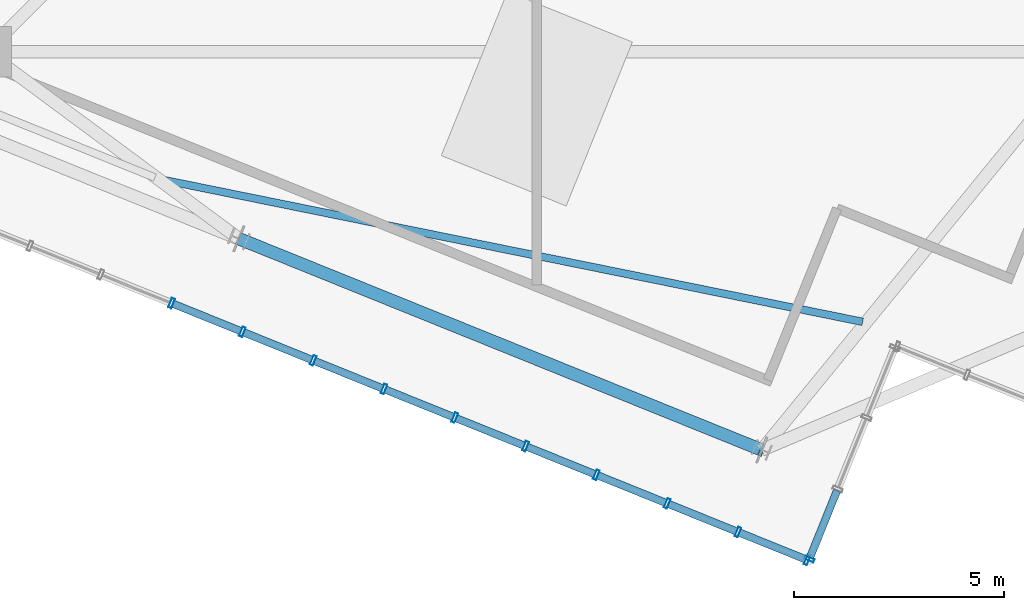
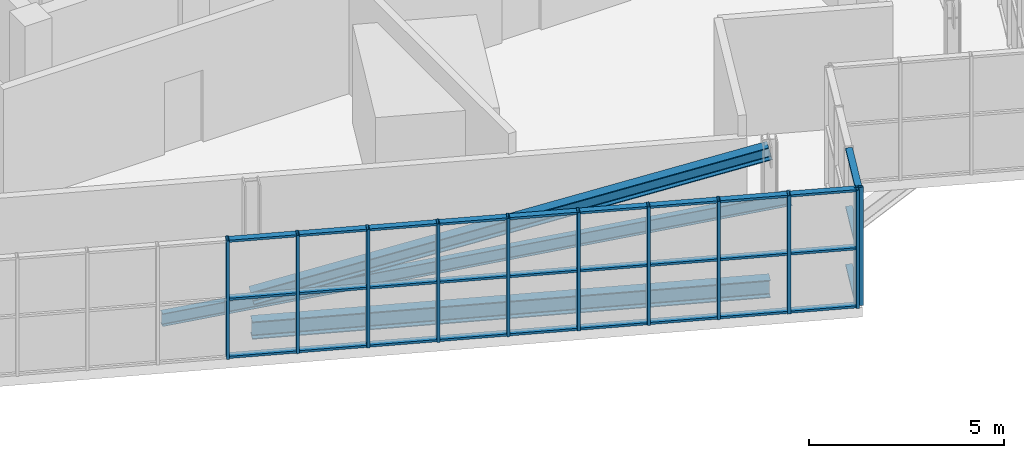
# One storey, part 4 of 26: 42 members, 2 beams, 2 elements without a shape of their own.
"""IFC4 building model written with IfcOpenShell, lengths in metres."""

from ifc_helpers import new_model, si_unit, direction, frame, origin, origin_2d, place, context, subcontext, project, spatial, hollow_rectangle, i_section, extrude, source, transform, mapped, material, layer, layer_set, material_profile, profile_set, type_object, element, aggregate, save


model = new_model("IFC4")

# Units and contexts
model_context = context("Model", 3, precision=1e-05, world=origin(), true_north=direction((0.0, 1.0)))
body_context = subcontext(model_context, "Body", "Model", "MODEL_VIEW")
ifc_project = project(units=[si_unit("LENGTHUNIT", "METRE"), si_unit("AREAUNIT", "SQUARE_METRE"), si_unit("VOLUMEUNIT", "CUBIC_METRE"), si_unit("PLANEANGLEUNIT", "RADIAN"), si_unit("MASSUNIT", "GRAM", prefix="KILO"), si_unit("THERMODYNAMICTEMPERATUREUNIT", "KELVIN")], contexts=[model_context])

# Site, building, storey
site_placement = place(None, origin())
site = spatial("IfcSite", under=ifc_project, at=site_placement, CompositionType="ELEMENT")
building_placement = place(site_placement, origin())
building = spatial("IfcBuilding", under=site, at=building_placement, Name="Kosmvard Interchange Tower", CompositionType="ELEMENT")
storey_placement = place(building_placement, frame((0.0, 0.0, 325.60009765625)))
storey = spatial("IfcBuildingStorey", under=building, at=storey_placement, Name="L80", CompositionType="ELEMENT", Elevation=325.60009765625)

# Member
ifc_material_1 = material(Name="Steel S355", Category="steel")
ifc_material_profile_1 = material_profile(ifc_material_1, i_section(OverallWidth=0.300048828125, OverallDepth=0.39990234375, WebThickness=0.013427734375, FlangeThickness=0.02392578125, FilletRadius=0.027099609375, at=origin_2d()), Name="HEB 400")
ifc_profile_set_1 = profile_set([ifc_material_profile_1], Name="Steel S355")
member_type_1 = type_object("IfcMemberType", Name="Lantern Crown Diagrid Brace HEB 400 S355", PredefinedType="BRACE", material=ifc_profile_set_1)
shared_shape_1 = source(origin(), body_context, "Body", "SweptSolid", [
    extrude(i_section(OverallWidth=0.300048828125, OverallDepth=0.39990234375, WebThickness=0.013427734375, FlangeThickness=0.02392578125, FilletRadius=0.027099609375, at=origin_2d()), origin(), (0.0, 0.0, 1.0), 13.783935546875),
])
member_1_placement = place(storey_placement, frame((-7.080078125, -17.523681640625, 0.419921875), z_axis=(0.901367558742, -0.364177999122, 0.234330768366), x_axis=(0.374608243744, 0.927183187789, 0.0)))
element("IfcMember", 1, at=member_1_placement, inside=storey, type_object=member_type_1, Name="L80 Crown Lantern Diagrid Brace W2", PredefinedType="BRACE", context=body_context, shape_type="MappedRepresentation", body=[
    mapped(shared_shape_1, transform((0.0, 0.0, 0.0), scale=1.0)),
])

# Beams
ifc_material_profile_2 = material_profile(ifc_material_1, i_section(OverallWidth=0.300048828125, OverallDepth=0.550048828125, WebThickness=0.014892578125, FlangeThickness=0.029052734375, FilletRadius=0.027099609375, at=origin_2d()), Name="HEB 550")
ifc_profile_set_2 = profile_set([ifc_material_profile_2], Name="Steel S355")
beam_type_1 = type_object("IfcBeamType", Name="Crown Ring Cap Girder HEB 550 S355", PredefinedType="BEAM", material=ifc_profile_set_2)
shared_shape_2 = source(origin(), body_context, "Body", "SweptSolid", [
    extrude(i_section(OverallWidth=0.300048828125, OverallDepth=0.550048828125, WebThickness=0.014892578125, FlangeThickness=0.029052734375, FilletRadius=0.027099609375, at=origin_2d()), origin(), (0.0, 0.0, 1.0), 13.400146484375),
])
beam_1_placement = place(storey_placement, frame((-7.080078125, -17.523681640625, -0.5751953125), z_axis=(0.927183187789, -0.374608243744, 0.0), x_axis=(0.374608243744, 0.927183187789, 0.0)))
element("IfcBeam", 2, at=beam_1_placement, inside=storey, type_object=beam_type_1, Name="BM-L80-PR11", PredefinedType="BEAM", context=body_context, shape_type="MappedRepresentation", body=[
    mapped(shared_shape_2, transform((0.0, 0.0, 0.0), scale=1.0)),
])
ifc_material_profile_3 = material_profile(ifc_material_1, i_section(OverallWidth=0.179931640625, OverallDepth=0.39990234375, WebThickness=0.008544921875, FlangeThickness=0.013427734375, FilletRadius=0.02099609375, at=origin_2d()), Name="IPE 400")
ifc_profile_set_3 = profile_set([ifc_material_profile_3], Name="Steel S355")
beam_type_2 = type_object("IfcBeamType", Name="Upper-Zone Floor Joist IPE 400 S355", PredefinedType="JOIST", material=ifc_profile_set_3)
shared_shape_3 = source(origin(), body_context, "Body", "SweptSolid", [
    extrude(i_section(OverallWidth=0.179931640625, OverallDepth=0.39990234375, WebThickness=0.008544921875, FlangeThickness=0.013427734375, FilletRadius=0.02099609375, at=origin_2d()), origin(), (0.0, 0.0, 1.0), 17.0029296875),
])
beam_2_placement = place(storey_placement, frame((-8.921875, -16.117919921875, -0.5), z_axis=(0.98002341059, -0.198882162837, 0.0), x_axis=(0.198882162837, 0.98002341059, 0.0)))
element("IfcBeam", 3, at=beam_2_placement, inside=storey, type_object=beam_type_2, Name="BM-L80-FJ08", PredefinedType="JOIST", context=body_context, shape_type="MappedRepresentation", body=[
    mapped(shared_shape_3, transform((0.0, 0.0, 0.0), scale=1.0)),
])

# Curtain wall, members
ifc_material_2 = material(Name="Architectural anodised aluminium", Category="aluminium")
ifc_layer = layer(ifc_material_2, 0.25, Name="Architectural anodised aluminium")
ifc_layer_set = layer_set([ifc_layer], Name="Architectural anodised aluminium")
curtain_wall_type = type_object("IfcCurtainWallType", Name="CW-6 Illuminated Crown Lantern Curtain Wall", PredefinedType="NOTDEFINED", material=ifc_layer_set)
curtain_wall_1_placement = place(storey_placement, origin())
curtain_wall_1 = element("IfcCurtainWall", 4, at=curtain_wall_1_placement, inside=storey, type_object=curtain_wall_type, Name="L80 Crown Lantern Glazing Face 10", PredefinedType="NOTDEFINED")
ifc_material_profile_4 = material_profile(ifc_material_2, hollow_rectangle(XDim=0.239990234375, YDim=0.080078125, WallThickness=0.006103515625, at=origin_2d()), Name="CWM 240x80x6")
ifc_profile_set_4 = profile_set([ifc_material_profile_4], Name="Architectural anodised aluminium")
member_type_2 = type_object("IfcMemberType", Name="Lantern & Observation CW Mullion 240x80 Aluminium", PredefinedType="MULLION", material=ifc_profile_set_4)
shared_shape_4 = source(origin(), body_context, "Body", "SweptSolid", [
    extrude(hollow_rectangle(XDim=0.239990234375, YDim=0.080078125, WallThickness=0.006103515625, at=origin_2d()), origin(), (0.0, 0.0, 1.0), 3.699951171875),
])
member_2_placement = place(storey_placement, frame((-8.677734375, -19.056884765625, 0.0), z_axis=(0.0, 0.0, 1.0), x_axis=(0.374606584758, 0.927183858065, 0.0)))
member_2 = element("IfcMember", 5, at=member_2_placement, type_object=member_type_2, Name="CW-6 mullion 9", PredefinedType="MULLION", context=body_context, shape_type="MappedRepresentation", body=[
    mapped(shared_shape_4, transform((0.0, 0.0, 0.0), scale=1.0)),
])
member_3_placement = place(storey_placement, frame((-6.995849609375, -19.736572265625, 0.0), z_axis=(0.0, 0.0, 1.0), x_axis=(0.374606584758, 0.927183858065, 0.0)))
member_3 = element("IfcMember", 6, at=member_3_placement, type_object=member_type_2, Name="CW-6 mullion 10", PredefinedType="MULLION", context=body_context, shape_type="MappedRepresentation", body=[
    mapped(shared_shape_4, transform((0.0, 0.0, 0.0), scale=1.0)),
])
member_4_placement = place(storey_placement, frame((-5.313720703125, -20.416015625, 0.0), z_axis=(0.0, 0.0, 1.0), x_axis=(0.374606584758, 0.927183858065, 0.0)))
member_4 = element("IfcMember", 7, at=member_4_placement, type_object=member_type_2, Name="CW-6 mullion 11", PredefinedType="MULLION", context=body_context, shape_type="MappedRepresentation", body=[
    mapped(shared_shape_4, transform((0.0, 0.0, 0.0), scale=1.0)),
])
member_5_placement = place(storey_placement, frame((-3.6318359375, -21.095703125, 0.0), z_axis=(0.0, 0.0, 1.0), x_axis=(0.374606584758, 0.927183858065, 0.0)))
member_5 = element("IfcMember", 8, at=member_5_placement, type_object=member_type_2, Name="CW-6 mullion 12", PredefinedType="MULLION", context=body_context, shape_type="MappedRepresentation", body=[
    mapped(shared_shape_4, transform((0.0, 0.0, 0.0), scale=1.0)),
])
member_6_placement = place(storey_placement, frame((-1.94970703125, -21.775146484375, 0.0), z_axis=(0.0, 0.0, 1.0), x_axis=(0.374606584758, 0.927183858065, 0.0)))
member_6 = element("IfcMember", 9, at=member_6_placement, type_object=member_type_2, Name="CW-6 mullion 13", PredefinedType="MULLION", context=body_context, shape_type="MappedRepresentation", body=[
    mapped(shared_shape_4, transform((0.0, 0.0, 0.0), scale=1.0)),
])
member_7_placement = place(storey_placement, frame((-0.267578125, -22.454833984375, 0.0), z_axis=(0.0, 0.0, 1.0), x_axis=(0.374606584758, 0.927183858065, 0.0)))
member_7 = element("IfcMember", 10, at=member_7_placement, type_object=member_type_2, Name="CW-6 mullion 14", PredefinedType="MULLION", context=body_context, shape_type="MappedRepresentation", body=[
    mapped(shared_shape_4, transform((0.0, 0.0, 0.0), scale=1.0)),
])
member_8_placement = place(storey_placement, frame((1.414306640625, -23.13427734375, 0.0), z_axis=(0.0, 0.0, 1.0), x_axis=(0.374606584758, 0.927183858065, 0.0)))
member_8 = element("IfcMember", 11, at=member_8_placement, type_object=member_type_2, Name="CW-6 mullion 15", PredefinedType="MULLION", context=body_context, shape_type="MappedRepresentation", body=[
    mapped(shared_shape_4, transform((0.0, 0.0, 0.0), scale=1.0)),
])
member_9_placement = place(storey_placement, frame((3.096435546875, -23.81396484375, 0.0), z_axis=(0.0, 0.0, 1.0), x_axis=(0.374606584758, 0.927183858065, 0.0)))
member_9 = element("IfcMember", 12, at=member_9_placement, type_object=member_type_2, Name="CW-6 mullion 16", PredefinedType="MULLION", context=body_context, shape_type="MappedRepresentation", body=[
    mapped(shared_shape_4, transform((0.0, 0.0, 0.0), scale=1.0)),
])
member_10_placement = place(storey_placement, frame((4.7783203125, -24.49365234375, 0.0), z_axis=(0.0, 0.0, 1.0), x_axis=(0.374606584758, 0.927183858065, 0.0)))
member_10 = element("IfcMember", 13, at=member_10_placement, type_object=member_type_2, Name="CW-6 mullion 17", PredefinedType="MULLION", context=body_context, shape_type="MappedRepresentation", body=[
    mapped(shared_shape_4, transform((0.0, 0.0, 0.0), scale=1.0)),
])
member_11_placement = place(storey_placement, frame((6.42333984375, -25.158203125, 0.0), z_axis=(0.0, 0.0, 1.0), x_axis=(0.374606584758, 0.927183858065, 0.0)))
member_11 = element("IfcMember", 14, at=member_11_placement, type_object=member_type_2, Name="CW-6 mullion 18", PredefinedType="MULLION", context=body_context, shape_type="MappedRepresentation", body=[
    mapped(shared_shape_4, transform((0.0, 0.0, 0.0), scale=1.0)),
])

# Curtain wall, member
curtain_wall_2_placement = place(storey_placement, origin())
curtain_wall_2 = element("IfcCurtainWall", 15, at=curtain_wall_2_placement, inside=storey, type_object=curtain_wall_type, Name="L80 Crown Lantern Glazing Face 11", PredefinedType="NOTDEFINED")
member_12_placement = place(storey_placement, frame((6.475341796875, -25.135986328125, 0.0), z_axis=(0.0, 0.0, 1.0), x_axis=(-0.92718386612, 0.374606564822, 0.0)))
member_12 = element("IfcMember", 16, at=member_12_placement, type_object=member_type_2, Name="CW-6 mullion 1", PredefinedType="MULLION", context=body_context, shape_type="MappedRepresentation", body=[
    mapped(shared_shape_4, transform((0.0, 0.0, 0.0), scale=1.0)),
])

# Member
ifc_material_profile_5 = material_profile(ifc_material_2, hollow_rectangle(XDim=0.179931640625, YDim=0.070068359375, WallThickness=0.0048828125, at=origin_2d()), Name="CWT 180x70x5")
ifc_profile_set_5 = profile_set([ifc_material_profile_5], Name="Architectural anodised aluminium")
member_type_3 = type_object("IfcMemberType", Name="Heavy Lantern CW Transom 180x70 Aluminium", PredefinedType="USERDEFINED", material=ifc_profile_set_5)
shared_shape_5 = source(origin(), body_context, "Body", "SweptSolid", [
    extrude(hollow_rectangle(XDim=0.179931640625, YDim=0.070068359375, WallThickness=0.0048828125, at=origin_2d()), origin(), (0.0, 0.0, 1.0), 1.694091796875),
])
member_13_placement = place(storey_placement, frame((4.8154296875, -24.508544921875, 0.034912109375), z_axis=(0.927209116514, -0.374544061831, 0.0), x_axis=(0.374544061831, 0.927209116514, 0.0)))
member_13 = element("IfcMember", 17, at=member_13_placement, type_object=member_type_3, Name="CW-6 transom 17.1", ObjectType="TRANSOM", PredefinedType="USERDEFINED", context=body_context, shape_type="MappedRepresentation", body=[
    mapped(shared_shape_5, transform((0.0, 0.0, 0.0), scale=1.0)),
])

member_14_placement = place(storey_placement, frame((4.8154296875, -24.508544921875, 1.849853515625), z_axis=(0.927209116514, -0.374544061831, 0.0), x_axis=(0.374544061831, 0.927209116514, 0.0)))
member_14 = element("IfcMember", 18, at=member_14_placement, type_object=member_type_3, Name="CW-6 transom 17.2", ObjectType="TRANSOM", PredefinedType="USERDEFINED", context=body_context, shape_type="MappedRepresentation", body=[
    mapped(shared_shape_5, transform((0.0, 0.0, 0.0), scale=1.0)),
])

member_15_placement = place(storey_placement, frame((4.8154296875, -24.508544921875, 3.664794921875), z_axis=(0.927209116514, -0.374544061831, 0.0), x_axis=(0.374544061831, 0.927209116514, 0.0)))
member_15 = element("IfcMember", 19, at=member_15_placement, type_object=member_type_3, Name="CW-6 transom 17.3", ObjectType="TRANSOM", PredefinedType="USERDEFINED", context=body_context, shape_type="MappedRepresentation", body=[
    mapped(shared_shape_5, transform((0.0, 0.0, 0.0), scale=1.0)),
])

shared_shape_6 = source(origin(), body_context, "Body", "SweptSolid", [
    extrude(hollow_rectangle(XDim=0.179931640625, YDim=0.070068359375, WallThickness=0.0048828125, at=origin_2d()), origin(), (0.0, 0.0, 1.0), 1.734130859375),
])
member_16_placement = place(storey_placement, frame((-6.958740234375, -19.75146484375, 0.034912109375), z_axis=(0.927179782522, -0.374616671924, 0.0), x_axis=(0.374616671924, 0.927179782522, 0.0)))
member_16 = element("IfcMember", 20, at=member_16_placement, type_object=member_type_3, Name="CW-6 transom 10.1", ObjectType="TRANSOM", PredefinedType="USERDEFINED", context=body_context, shape_type="MappedRepresentation", body=[
    mapped(shared_shape_6, transform((0.0, 0.0, 0.0), scale=1.0)),
])

member_17_placement = place(storey_placement, frame((-6.958740234375, -19.75146484375, 1.849853515625), z_axis=(0.927179782522, -0.374616671924, 0.0), x_axis=(0.374616671924, 0.927179782522, 0.0)))
member_17 = element("IfcMember", 21, at=member_17_placement, type_object=member_type_3, Name="CW-6 transom 10.2", ObjectType="TRANSOM", PredefinedType="USERDEFINED", context=body_context, shape_type="MappedRepresentation", body=[
    mapped(shared_shape_6, transform((0.0, 0.0, 0.0), scale=1.0)),
])

member_18_placement = place(storey_placement, frame((-6.958740234375, -19.75146484375, 3.664794921875), z_axis=(0.927179782522, -0.374616671924, 0.0), x_axis=(0.374616671924, 0.927179782522, 0.0)))
member_18 = element("IfcMember", 22, at=member_18_placement, type_object=member_type_3, Name="CW-6 transom 10.3", ObjectType="TRANSOM", PredefinedType="USERDEFINED", context=body_context, shape_type="MappedRepresentation", body=[
    mapped(shared_shape_6, transform((0.0, 0.0, 0.0), scale=1.0)),
])

member_19_placement = place(storey_placement, frame((-5.276611328125, -20.43115234375, 0.034912109375), z_axis=(0.927228675447, -0.374495638732, 0.0), x_axis=(0.374495638732, 0.927228675447, 0.0)))
member_19 = element("IfcMember", 23, at=member_19_placement, type_object=member_type_3, Name="CW-6 transom 11.1", ObjectType="TRANSOM", PredefinedType="USERDEFINED", context=body_context, shape_type="MappedRepresentation", body=[
    mapped(shared_shape_6, transform((0.0, 0.0, 0.0), scale=1.0)),
])

member_20_placement = place(storey_placement, frame((-5.276611328125, -20.43115234375, 1.849853515625), z_axis=(0.927228675447, -0.374495638732, 0.0), x_axis=(0.374495638732, 0.927228675447, 0.0)))
member_20 = element("IfcMember", 24, at=member_20_placement, type_object=member_type_3, Name="CW-6 transom 11.2", ObjectType="TRANSOM", PredefinedType="USERDEFINED", context=body_context, shape_type="MappedRepresentation", body=[
    mapped(shared_shape_6, transform((0.0, 0.0, 0.0), scale=1.0)),
])

member_21_placement = place(storey_placement, frame((-5.276611328125, -20.43115234375, 3.664794921875), z_axis=(0.927228675447, -0.374495638732, 0.0), x_axis=(0.374495638732, 0.927228675447, 0.0)))
member_21 = element("IfcMember", 25, at=member_21_placement, type_object=member_type_3, Name="CW-6 transom 11.3", ObjectType="TRANSOM", PredefinedType="USERDEFINED", context=body_context, shape_type="MappedRepresentation", body=[
    mapped(shared_shape_6, transform((0.0, 0.0, 0.0), scale=1.0)),
])

member_22_placement = place(storey_placement, frame((-3.5947265625, -21.110595703125, 0.034912109375), z_axis=(0.927179782522, -0.374616671924, 0.0), x_axis=(0.374616671924, 0.927179782522, 0.0)))
member_22 = element("IfcMember", 26, at=member_22_placement, type_object=member_type_3, Name="CW-6 transom 12.1", ObjectType="TRANSOM", PredefinedType="USERDEFINED", context=body_context, shape_type="MappedRepresentation", body=[
    mapped(shared_shape_6, transform((0.0, 0.0, 0.0), scale=1.0)),
])

member_23_placement = place(storey_placement, frame((-3.5947265625, -21.110595703125, 1.849853515625), z_axis=(0.927179782522, -0.374616671924, 0.0), x_axis=(0.374616671924, 0.927179782522, 0.0)))
member_23 = element("IfcMember", 27, at=member_23_placement, type_object=member_type_3, Name="CW-6 transom 12.2", ObjectType="TRANSOM", PredefinedType="USERDEFINED", context=body_context, shape_type="MappedRepresentation", body=[
    mapped(shared_shape_6, transform((0.0, 0.0, 0.0), scale=1.0)),
])

member_24_placement = place(storey_placement, frame((-3.5947265625, -21.110595703125, 3.664794921875), z_axis=(0.927179782522, -0.374616671924, 0.0), x_axis=(0.374616671924, 0.927179782522, 0.0)))
member_24 = element("IfcMember", 28, at=member_24_placement, type_object=member_type_3, Name="CW-6 transom 12.3", ObjectType="TRANSOM", PredefinedType="USERDEFINED", context=body_context, shape_type="MappedRepresentation", body=[
    mapped(shared_shape_6, transform((0.0, 0.0, 0.0), scale=1.0)),
])

member_25_placement = place(storey_placement, frame((-1.91259765625, -21.790283203125, 0.034912109375), z_axis=(0.927228675447, -0.374495638732, 0.0), x_axis=(0.374495638732, 0.927228675447, 0.0)))
member_25 = element("IfcMember", 29, at=member_25_placement, type_object=member_type_3, Name="CW-6 transom 13.1", ObjectType="TRANSOM", PredefinedType="USERDEFINED", context=body_context, shape_type="MappedRepresentation", body=[
    mapped(shared_shape_6, transform((0.0, 0.0, 0.0), scale=1.0)),
])

member_26_placement = place(storey_placement, frame((-1.91259765625, -21.790283203125, 1.849853515625), z_axis=(0.927228675447, -0.374495638732, 0.0), x_axis=(0.374495638732, 0.927228675447, 0.0)))
member_26 = element("IfcMember", 30, at=member_26_placement, type_object=member_type_3, Name="CW-6 transom 13.2", ObjectType="TRANSOM", PredefinedType="USERDEFINED", context=body_context, shape_type="MappedRepresentation", body=[
    mapped(shared_shape_6, transform((0.0, 0.0, 0.0), scale=1.0)),
])

member_27_placement = place(storey_placement, frame((-1.91259765625, -21.790283203125, 3.664794921875), z_axis=(0.927228675447, -0.374495638732, 0.0), x_axis=(0.374495638732, 0.927228675447, 0.0)))
member_27 = element("IfcMember", 31, at=member_27_placement, type_object=member_type_3, Name="CW-6 transom 13.3", ObjectType="TRANSOM", PredefinedType="USERDEFINED", context=body_context, shape_type="MappedRepresentation", body=[
    mapped(shared_shape_6, transform((0.0, 0.0, 0.0), scale=1.0)),
])

member_28_placement = place(storey_placement, frame((1.451416015625, -23.1494140625, 0.034912109375), z_axis=(0.927179782522, -0.374616671924, 0.0), x_axis=(0.374616671924, 0.927179782522, 0.0)))
member_28 = element("IfcMember", 32, at=member_28_placement, type_object=member_type_3, Name="CW-6 transom 15.1", ObjectType="TRANSOM", PredefinedType="USERDEFINED", context=body_context, shape_type="MappedRepresentation", body=[
    mapped(shared_shape_6, transform((0.0, 0.0, 0.0), scale=1.0)),
])

member_29_placement = place(storey_placement, frame((1.451416015625, -23.1494140625, 1.849853515625), z_axis=(0.927179782522, -0.374616671924, 0.0), x_axis=(0.374616671924, 0.927179782522, 0.0)))
member_29 = element("IfcMember", 33, at=member_29_placement, type_object=member_type_3, Name="CW-6 transom 15.2", ObjectType="TRANSOM", PredefinedType="USERDEFINED", context=body_context, shape_type="MappedRepresentation", body=[
    mapped(shared_shape_6, transform((0.0, 0.0, 0.0), scale=1.0)),
])

member_30_placement = place(storey_placement, frame((1.451416015625, -23.1494140625, 3.664794921875), z_axis=(0.927179782522, -0.374616671924, 0.0), x_axis=(0.374616671924, 0.927179782522, 0.0)))
member_30 = element("IfcMember", 34, at=member_30_placement, type_object=member_type_3, Name="CW-6 transom 15.3", ObjectType="TRANSOM", PredefinedType="USERDEFINED", context=body_context, shape_type="MappedRepresentation", body=[
    mapped(shared_shape_6, transform((0.0, 0.0, 0.0), scale=1.0)),
])

shared_shape_7 = source(origin(), body_context, "Body", "SweptSolid", [
    extrude(hollow_rectangle(XDim=0.179931640625, YDim=0.070068359375, WallThickness=0.0048828125, at=origin_2d()), origin(), (0.0, 0.0, 1.0), 1.73388671875),
])
member_31_placement = place(storey_placement, frame((-8.640625, -19.07177734375, 0.034912109375), z_axis=(0.927160021861, -0.374665576032, 0.0), x_axis=(0.374665576032, 0.927160021861, 0.0)))
member_31 = element("IfcMember", 35, at=member_31_placement, type_object=member_type_3, Name="CW-6 transom 9.1", ObjectType="TRANSOM", PredefinedType="USERDEFINED", context=body_context, shape_type="MappedRepresentation", body=[
    mapped(shared_shape_7, transform((0.0, 0.0, 0.0), scale=1.0)),
])

member_32_placement = place(storey_placement, frame((-8.640625, -19.07177734375, 1.849853515625), z_axis=(0.927160021861, -0.374665576032, 0.0), x_axis=(0.374665576032, 0.927160021861, 0.0)))
member_32 = element("IfcMember", 36, at=member_32_placement, type_object=member_type_3, Name="CW-6 transom 9.2", ObjectType="TRANSOM", PredefinedType="USERDEFINED", context=body_context, shape_type="MappedRepresentation", body=[
    mapped(shared_shape_7, transform((0.0, 0.0, 0.0), scale=1.0)),
])

member_33_placement = place(storey_placement, frame((-8.640625, -19.07177734375, 3.664794921875), z_axis=(0.927160021861, -0.374665576032, 0.0), x_axis=(0.374665576032, 0.927160021861, 0.0)))
member_33 = element("IfcMember", 37, at=member_33_placement, type_object=member_type_3, Name="CW-6 transom 9.3", ObjectType="TRANSOM", PredefinedType="USERDEFINED", context=body_context, shape_type="MappedRepresentation", body=[
    mapped(shared_shape_7, transform((0.0, 0.0, 0.0), scale=1.0)),
])

member_34_placement = place(storey_placement, frame((-0.23046875, -22.4697265625, 0.034912109375), z_axis=(0.927160021861, -0.374665576032, 0.0), x_axis=(0.374665576032, 0.927160021861, 0.0)))
member_34 = element("IfcMember", 38, at=member_34_placement, type_object=member_type_3, Name="CW-6 transom 14.1", ObjectType="TRANSOM", PredefinedType="USERDEFINED", context=body_context, shape_type="MappedRepresentation", body=[
    mapped(shared_shape_7, transform((0.0, 0.0, 0.0), scale=1.0)),
])

member_35_placement = place(storey_placement, frame((-0.23046875, -22.4697265625, 1.849853515625), z_axis=(0.927160021861, -0.374665576032, 0.0), x_axis=(0.374665576032, 0.927160021861, 0.0)))
member_35 = element("IfcMember", 39, at=member_35_placement, type_object=member_type_3, Name="CW-6 transom 14.2", ObjectType="TRANSOM", PredefinedType="USERDEFINED", context=body_context, shape_type="MappedRepresentation", body=[
    mapped(shared_shape_7, transform((0.0, 0.0, 0.0), scale=1.0)),
])

member_36_placement = place(storey_placement, frame((-0.23046875, -22.4697265625, 3.664794921875), z_axis=(0.927160021861, -0.374665576032, 0.0), x_axis=(0.374665576032, 0.927160021861, 0.0)))
member_36 = element("IfcMember", 40, at=member_36_placement, type_object=member_type_3, Name="CW-6 transom 14.3", ObjectType="TRANSOM", PredefinedType="USERDEFINED", context=body_context, shape_type="MappedRepresentation", body=[
    mapped(shared_shape_7, transform((0.0, 0.0, 0.0), scale=1.0)),
])

member_37_placement = place(storey_placement, frame((3.133544921875, -23.828857421875, 0.034912109375), z_axis=(0.927160021861, -0.374665576032, 0.0), x_axis=(0.374665576032, 0.927160021861, 0.0)))
member_37 = element("IfcMember", 41, at=member_37_placement, type_object=member_type_3, Name="CW-6 transom 16.1", ObjectType="TRANSOM", PredefinedType="USERDEFINED", context=body_context, shape_type="MappedRepresentation", body=[
    mapped(shared_shape_7, transform((0.0, 0.0, 0.0), scale=1.0)),
])

member_38_placement = place(storey_placement, frame((3.133544921875, -23.828857421875, 1.849853515625), z_axis=(0.927160021861, -0.374665576032, 0.0), x_axis=(0.374665576032, 0.927160021861, 0.0)))
member_38 = element("IfcMember", 42, at=member_38_placement, type_object=member_type_3, Name="CW-6 transom 16.2", ObjectType="TRANSOM", PredefinedType="USERDEFINED", context=body_context, shape_type="MappedRepresentation", body=[
    mapped(shared_shape_7, transform((0.0, 0.0, 0.0), scale=1.0)),
])

member_39_placement = place(storey_placement, frame((3.133544921875, -23.828857421875, 3.664794921875), z_axis=(0.927160021861, -0.374665576032, 0.0), x_axis=(0.374665576032, 0.927160021861, 0.0)))
member_39 = element("IfcMember", 43, at=member_39_placement, type_object=member_type_3, Name="CW-6 transom 16.3", ObjectType="TRANSOM", PredefinedType="USERDEFINED", context=body_context, shape_type="MappedRepresentation", body=[
    mapped(shared_shape_7, transform((0.0, 0.0, 0.0), scale=1.0)),
])

aggregate(curtain_wall_1, [member_2, member_3, member_4, member_5, member_6, member_7, member_8, member_9, member_10, member_11, member_31, member_32, member_33, member_16, member_17, member_18, member_19, member_20, member_21, member_22, member_23, member_24, member_25, member_26, member_27, member_34, member_35, member_36, member_28, member_29, member_30, member_37, member_38, member_39, member_13, member_14, member_15])

shared_shape_8 = source(origin(), body_context, "Body", "SweptSolid", [
    extrude(hollow_rectangle(XDim=0.179931640625, YDim=0.070068359375, WallThickness=0.0048828125, at=origin_2d()), origin(), (0.0, 0.0, 1.0), 1.71337890625),
])
member_40_placement = place(storey_placement, frame((6.490478515625, -25.098876953125, 0.034912109375), z_axis=(0.374484254265, 0.927233273404, 0.0), x_axis=(-0.927233273404, 0.374484254265, 0.0)))
member_40 = element("IfcMember", 44, at=member_40_placement, type_object=member_type_3, Name="CW-6 transom 1.1", ObjectType="TRANSOM", PredefinedType="USERDEFINED", context=body_context, shape_type="MappedRepresentation", body=[
    mapped(shared_shape_8, transform((0.0, 0.0, 0.0), scale=1.0)),
])

member_41_placement = place(storey_placement, frame((6.490478515625, -25.098876953125, 1.849853515625), z_axis=(0.374484254265, 0.927233273404, 0.0), x_axis=(-0.927233273404, 0.374484254265, 0.0)))
member_41 = element("IfcMember", 45, at=member_41_placement, type_object=member_type_3, Name="CW-6 transom 1.2", ObjectType="TRANSOM", PredefinedType="USERDEFINED", context=body_context, shape_type="MappedRepresentation", body=[
    mapped(shared_shape_8, transform((0.0, 0.0, 0.0), scale=1.0)),
])

member_42_placement = place(storey_placement, frame((6.490478515625, -25.098876953125, 3.664794921875), z_axis=(0.374484254265, 0.927233273404, 0.0), x_axis=(-0.927233273404, 0.374484254265, 0.0)))
member_42 = element("IfcMember", 46, at=member_42_placement, type_object=member_type_3, Name="CW-6 transom 1.3", ObjectType="TRANSOM", PredefinedType="USERDEFINED", context=body_context, shape_type="MappedRepresentation", body=[
    mapped(shared_shape_8, transform((0.0, 0.0, 0.0), scale=1.0)),
])

aggregate(curtain_wall_2, [member_12, member_40, member_41, member_42])

save(model, "model.ifc")
